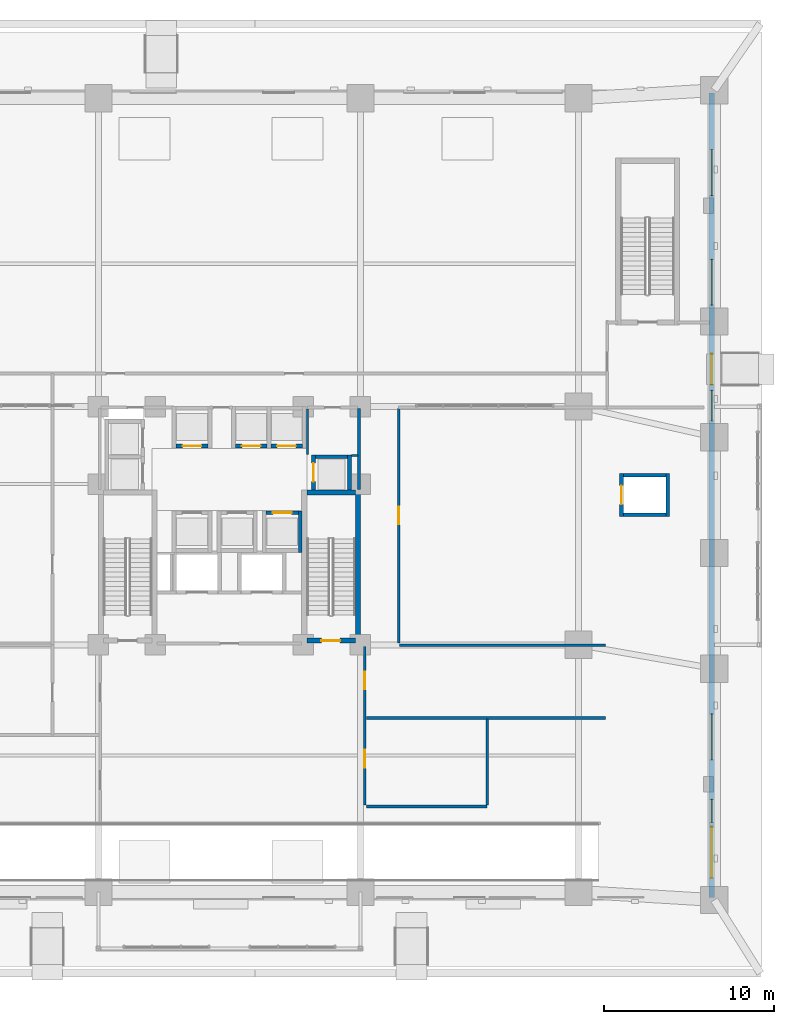
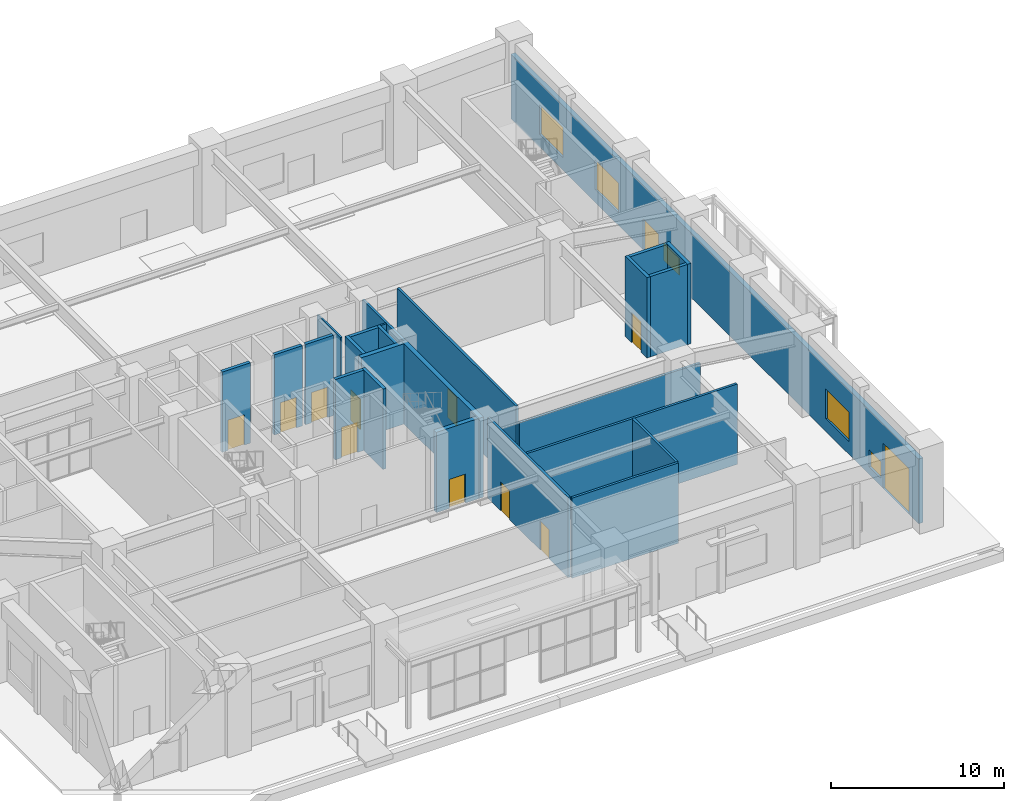
# One storey, part 15 of 24: 25 walls, 12 doors, 5 windows, 17 openings.
"""IFC4 building model written with IfcOpenShell, lengths in metres."""

from ifc_helpers import new_model, si_unit, derived_unit, direction, frame, frame_2d, origin, place, context, subcontext, project, spatial, rectangle, extrude, material, layer, layer_set, type_object, element, fill, save


model = new_model("IFC4")

# Units and contexts
model_context = context("Model", 3, precision=1e-05, world=origin(), true_north=direction((0.0, 1.0)))
body_context = subcontext(model_context, "Body", "Model", "MODEL_VIEW")
ifc_project = project(units=[si_unit("LENGTHUNIT", "METRE"), si_unit("AREAUNIT", "SQUARE_METRE"), si_unit("VOLUMEUNIT", "CUBIC_METRE"), si_unit("PLANEANGLEUNIT", "RADIAN"), si_unit("MASSUNIT", "GRAM", prefix="KILO"), derived_unit("THERMALTRANSMITTANCEUNIT", [(si_unit("MASSUNIT", "GRAM", prefix="KILO"), 1), (si_unit("TIMEUNIT", "SECOND"), -3), (si_unit("THERMODYNAMICTEMPERATUREUNIT", "KELVIN"), -1)])], contexts=[model_context])

# Site, building, storey
site_placement = place(None, origin())
site = spatial("IfcSite", under=ifc_project, at=site_placement, CompositionType="ELEMENT")
building_placement = place(site_placement, origin())
building = spatial("IfcBuilding", under=site, at=building_placement, Name="Korrvale Station Residences", CompositionType="ELEMENT")
storey_placement = place(building_placement, origin())
storey = spatial("IfcBuildingStorey", under=building, at=storey_placement, Name="L00", CompositionType="ELEMENT", Elevation=0.0)

# Walls
ifc_material_1 = material(Name="Concrete C70/85", Category="concrete")
ifc_layer_1 = layer(ifc_material_1, 0.300048828125, Name="Concrete C70/85")
ifc_layer_set_1 = layer_set([ifc_layer_1], Name="Concrete C70/85")
wall_type_1 = type_object("IfcWallType", Name="WAL-CORE-300-C70", PredefinedType="SHEAR", material=ifc_layer_set_1)
wall_1_placement = place(storey_placement, frame((33.050048828125, 15.10009765625, 0.0), z_axis=(0.0, 0.0, 1.0), x_axis=(0.0, 1.0, 0.0)))
element("IfcWall", 1, at=wall_1_placement, inside=storey, type_object=wall_type_1, Name="L00 ST-2 Core Shear Wall East", PredefinedType="SHEAR", context=body_context, shape_type="SweptSolid", body=[
    extrude(rectangle(XDim=9.0, YDim=0.300048828125, at=frame_2d((4.5, 0.0))), origin(), (0.0, 0.0, 1.0), 5.679931640625),
])
wall_2_placement = place(storey_placement, frame((30.050048828125, 23.949951171875, 0.0), z_axis=(0.0, 0.0, 1.0), x_axis=(1.0, 0.0, 0.0)))
element("IfcWall", 2, at=wall_2_placement, inside=storey, type_object=wall_type_1, Name="L00 ST-2 Core Shear Wall North", PredefinedType="SHEAR", context=body_context, shape_type="SweptSolid", body=[
    extrude(rectangle(XDim=2.849853515625, YDim=0.300048828125, at=frame_2d((1.4248046875, 0.0))), origin(), (0.0, 0.0, 1.0), 5.679931640625),
])

# Wall, opening, door
wall_3_placement = place(storey_placement, frame((30.050048828125, 15.25, 0.0), z_axis=(0.0, 0.0, 1.0), x_axis=(1.0, 0.0, 0.0)))
wall_3 = element("IfcWall", 3, at=wall_3_placement, inside=storey, type_object=wall_type_1, Name="L00 ST-2 Core Shear Wall South", PredefinedType="SHEAR", context=body_context, shape_type="SweptSolid", body=[
    extrude(rectangle(XDim=2.849853515625, YDim=0.300048828125, at=frame_2d((1.4248046875, 0.0))), origin(), (0.0, 0.0, 1.0), 5.679931640625),
])
opening_1_placement = place(wall_3_placement, frame((0.860107421875, 0.0, 0.0)))
opening_1 = element("IfcOpeningElement", 4, at=opening_1_placement, cuts=wall_3, Name="Opening SD-1100", PredefinedType="OPENING", context=body_context, shape_type="SweptSolid", body=[
    extrude(rectangle(XDim=1.10009765625, YDim=2.050048828125, at=frame_2d((0.550048828125, 1.02490234375))), frame((0.0, 0.16015625, 0.0), z_axis=(0.0, -1.0, 0.0), x_axis=(1.0, 0.0, 0.0)), (0.0, 0.0, 1.0), 0.320068359375),
])
ifc_material_2 = material(Name="Hollow-metal fire-rated stair door with closer", Category="steel")
door_type_1 = type_object("IfcDoorType", Name="DR-STAIR-1100", OperationType="NOTDEFINED", PredefinedType="DOOR", material=ifc_material_2)
door_1_placement = place(opening_1_placement, origin())
door_1 = element("IfcDoor", 5, at=door_1_placement, inside=storey, type_object=door_type_1, Name="L00 ST-2 Exit Stair Door", OperationType="SINGLE_SWING_RIGHT", OverallHeight=2.050048828125, OverallWidth=1.10009765625, PredefinedType="DOOR", context=body_context, shape_type="SweptSolid", body=[
    extrude(rectangle(XDim=1.10009765625, YDim=2.050048828125, at=frame_2d((0.550048828125, 1.02490234375))), frame((0.0, 0.02490234375, 0.0), z_axis=(0.0, -1.0, 0.0), x_axis=(1.0, 0.0, 0.0)), (0.0, 0.0, 1.0), 0.050048828125),
])
fill(opening_1, door_1)

# Wall, openings, doors, windows
ifc_material_3 = material(Name="Precast concrete C45/55", Category="concrete")
ifc_layer_2 = layer(ifc_material_3, 0.300048828125, Name="Precast concrete C45/55")
ifc_layer_set_2 = layer_set([ifc_layer_2], Name="Precast concrete C45/55")
wall_type_2 = type_object("IfcWallType", Name="WAL-EXT-PC300", PredefinedType="SOLIDWALL", material=ifc_layer_set_2)
wall_4_placement = place(storey_placement, frame((53.85009765625, 47.43994140625, 0.0), z_axis=(0.0, 0.0, 1.0), x_axis=(0.0, -1.0, 0.0)))
wall_4 = element("IfcWall", 6, at=wall_4_placement, inside=storey, type_object=wall_type_2, Name="L00 East Exterior Precast Wall 1", PredefinedType="SOLIDWALL", context=body_context, shape_type="SweptSolid", body=[
    extrude(rectangle(XDim=47.280029296875, YDim=0.300048828125, at=frame_2d((23.64013671875, 0.0))), origin(), (0.0, 0.0, 1.0), 4.56494140625),
])
opening_2_placement = place(wall_4_placement, frame((15.340087890625, 0.0, 0.0)))
opening_2 = element("IfcOpeningElement", 7, at=opening_2_placement, cuts=wall_4, Name="Opening ED-01", PredefinedType="OPENING", context=body_context, shape_type="SweptSolid", body=[
    extrude(rectangle(XDim=1.800048828125, YDim=2.199951171875, at=frame_2d((0.89990234375, 1.10009765625))), frame((0.0, 0.16015625, 0.0), z_axis=(0.0, -1.0, 0.0), x_axis=(1.0, 0.0, 0.0)), (0.0, 0.0, 1.0), 0.320068359375),
])
opening_3_placement = place(wall_4_placement, frame((43.139892578125, 0.0, 0.0)))
opening_3 = element("IfcOpeningElement", 8, at=opening_3_placement, cuts=wall_4, Name="Opening VG-1", PredefinedType="OPENING", context=body_context, shape_type="SweptSolid", body=[
    extrude(rectangle(XDim=3.0, YDim=3.199951171875, at=frame_2d((1.5, 1.60009765625))), frame((0.0, 0.16015625, 0.0), z_axis=(0.0, -1.0, 0.0), x_axis=(1.0, 0.0, 0.0)), (0.0, 0.0, 1.0), 0.320068359375),
])
opening_4_placement = place(wall_4_placement, frame((3.330078125, 0.0, 0.89990234375)))
opening_4 = element("IfcOpeningElement", 9, at=opening_4_placement, cuts=wall_4, Name="Opening W-07", PredefinedType="OPENING", context=body_context, shape_type="SweptSolid", body=[
    extrude(rectangle(XDim=2.699951171875, YDim=2.10009765625, at=frame_2d((1.35009765625, 1.050048828125))), frame((0.0, 0.16015625, 0.0), z_axis=(0.0, -1.0, 0.0), x_axis=(1.0, 0.0, 0.0)), (0.0, 0.0, 1.0), 0.320068359375),
])
opening_5_placement = place(wall_4_placement, frame((9.780029296875, 0.0, 0.89990234375)))
opening_5 = element("IfcOpeningElement", 10, at=opening_5_placement, cuts=wall_4, Name="Opening W-07", PredefinedType="OPENING", context=body_context, shape_type="SweptSolid", body=[
    extrude(rectangle(XDim=2.699951171875, YDim=2.10009765625, at=frame_2d((1.35009765625, 1.050048828125))), frame((0.0, 0.16015625, 0.0), z_axis=(0.0, -1.0, 0.0), x_axis=(1.0, 0.0, 0.0)), (0.0, 0.0, 1.0), 0.320068359375),
])
opening_6_placement = place(wall_4_placement, frame((17.47998046875, 0.0, 0.550048828125)))
opening_6 = element("IfcOpeningElement", 11, at=opening_6_placement, cuts=wall_4, Name="Opening W-09", PredefinedType="OPENING", context=body_context, shape_type="SweptSolid", body=[
    extrude(rectangle(XDim=1.800048828125, YDim=1.199951171875, at=frame_2d((0.89990234375, 0.60009765625))), frame((0.0, 0.16015625, 0.0), z_axis=(0.0, -1.0, 0.0), x_axis=(1.0, 0.0, 0.0)), (0.0, 0.0, 1.0), 0.320068359375),
])
opening_7_placement = place(wall_4_placement, frame((36.5, 0.0, 0.89990234375)))
opening_7 = element("IfcOpeningElement", 12, at=opening_7_placement, cuts=wall_4, Name="Opening W-07", PredefinedType="OPENING", context=body_context, shape_type="SweptSolid", body=[
    extrude(rectangle(XDim=2.699951171875, YDim=2.10009765625, at=frame_2d((1.35009765625, 1.050048828125))), frame((0.0, 0.16015625, 0.0), z_axis=(0.0, -1.0, 0.0), x_axis=(1.0, 0.0, 0.0)), (0.0, 0.0, 1.0), 0.320068359375),
])
opening_8_placement = place(wall_4_placement, frame((41.530029296875, 0.0, 0.550048828125)))
opening_8 = element("IfcOpeningElement", 13, at=opening_8_placement, cuts=wall_4, Name="Opening W-10", PredefinedType="OPENING", context=body_context, shape_type="SweptSolid", body=[
    extrude(rectangle(XDim=1.35009765625, YDim=1.199951171875, at=frame_2d((0.675048828125, 0.60009765625))), frame((0.0, 0.16015625, 0.0), z_axis=(0.0, -1.0, 0.0), x_axis=(1.0, 0.0, 0.0)), (0.0, 0.0, 1.0), 0.320068359375),
])
ifc_material_4 = material(Name="Thermally broken glazed aluminium entrance door", Category="aluminium")
door_type_2 = type_object("IfcDoorType", Name="DR-EXT-EXIT", OperationType="DOUBLE_SWING_LEFT", PredefinedType="DOOR", material=ifc_material_4)
door_2_placement = place(opening_2_placement, origin())
door_2 = element("IfcDoor", 14, at=door_2_placement, inside=storey, type_object=door_type_2, Name="East Stair Discharge Exit Door", OperationType="DOUBLE_SWING_LEFT", OverallHeight=2.199951171875, OverallWidth=1.800048828125, PredefinedType="DOOR", context=body_context, shape_type="SweptSolid", body=[
    extrude(rectangle(XDim=1.800048828125, YDim=2.199951171875, at=frame_2d((0.89990234375, 1.10009765625))), frame((0.0, 0.02490234375, 0.0), z_axis=(0.0, -1.0, 0.0), x_axis=(1.0, 0.0, 0.0)), (0.0, 0.0, 1.0), 0.050048828125),
])
fill(opening_2, door_2)
ifc_material_5 = material(Name="Exterior non-fire-rated insulated galvanised coiling steel roller shutter gate", Category="steel")
door_type_3 = type_object("IfcDoorType", Name="DR-ROLL-VG1", OperationType="ROLLINGUP", PredefinedType="GATE", material=ifc_material_5)
door_3_placement = place(opening_3_placement, origin())
door_3 = element("IfcDoor", 15, at=door_3_placement, inside=storey, type_object=door_type_3, Name="Exterior Non-Fire-Rated Basement Service Ramp Roller Shutter Gate", OperationType="ROLLINGUP", OverallHeight=3.199951171875, OverallWidth=3.0, PredefinedType="GATE", context=body_context, shape_type="SweptSolid", body=[
    extrude(rectangle(XDim=3.0, YDim=3.199951171875, at=frame_2d((1.5, 1.60009765625))), frame((0.0, 0.02490234375, 0.0), z_axis=(0.0, -1.0, 0.0), x_axis=(1.0, 0.0, 0.0)), (0.0, 0.0, 1.0), 0.050048828125),
])
fill(opening_3, door_3)
ifc_material_6 = material(Name="Thermally broken aluminium frame with triple low-e glazing", Category="aluminium")
window_type_1 = type_object("IfcWindowType", Name="WIN-W07", PartitioningType="TRIPLE_PANEL_VERTICAL", PredefinedType="WINDOW", material=ifc_material_6)
window_1_placement = place(opening_4_placement, origin())
window_1 = element("IfcWindow", 16, at=window_1_placement, inside=storey, type_object=window_type_1, Name="L00 Station Concourse Punched Window 06", OverallHeight=2.10009765625, OverallWidth=2.699951171875, PartitioningType="TRIPLE_PANEL_VERTICAL", PredefinedType="WINDOW", context=body_context, shape_type="SweptSolid", body=[
    extrude(rectangle(XDim=2.699951171875, YDim=2.10009765625, at=frame_2d((1.35009765625, 1.050048828125))), frame((0.0, 0.030029296875, 0.0), z_axis=(0.0, -1.0, 0.0), x_axis=(1.0, 0.0, 0.0)), (0.0, 0.0, 1.0), 0.06005859375),
])
fill(opening_4, window_1)
window_2_placement = place(opening_5_placement, origin())
window_2 = element("IfcWindow", 17, at=window_2_placement, inside=storey, type_object=window_type_1, Name="L00 Station Concourse Punched Window 07", OverallHeight=2.10009765625, OverallWidth=2.699951171875, PartitioningType="TRIPLE_PANEL_VERTICAL", PredefinedType="WINDOW", context=body_context, shape_type="SweptSolid", body=[
    extrude(rectangle(XDim=2.699951171875, YDim=2.10009765625, at=frame_2d((1.35009765625, 1.050048828125))), frame((0.0, 0.030029296875, 0.0), z_axis=(0.0, -1.0, 0.0), x_axis=(1.0, 0.0, 0.0)), (0.0, 0.0, 1.0), 0.06005859375),
])
fill(opening_5, window_2)
window_3_placement = place(opening_7_placement, origin())
window_3 = element("IfcWindow", 18, at=window_3_placement, inside=storey, type_object=window_type_1, Name="L00 Station Concourse Punched Window 09", OverallHeight=2.10009765625, OverallWidth=2.699951171875, PartitioningType="TRIPLE_PANEL_VERTICAL", PredefinedType="WINDOW", context=body_context, shape_type="SweptSolid", body=[
    extrude(rectangle(XDim=2.699951171875, YDim=2.10009765625, at=frame_2d((1.35009765625, 1.050048828125))), frame((0.0, 0.030029296875, 0.0), z_axis=(0.0, -1.0, 0.0), x_axis=(1.0, 0.0, 0.0)), (0.0, 0.0, 1.0), 0.06005859375),
])
fill(opening_7, window_3)
window_type_2 = type_object("IfcWindowType", Name="WIN-W09", PartitioningType="DOUBLE_PANEL_VERTICAL", PredefinedType="WINDOW", material=ifc_material_6)
window_4_placement = place(opening_6_placement, origin())
window_4 = element("IfcWindow", 19, at=window_4_placement, inside=storey, type_object=window_type_2, Name="L00 Station Concourse Punched Window 08", OverallHeight=1.199951171875, OverallWidth=1.800048828125, PartitioningType="DOUBLE_PANEL_VERTICAL", PredefinedType="WINDOW", context=body_context, shape_type="SweptSolid", body=[
    extrude(rectangle(XDim=1.800048828125, YDim=1.199951171875, at=frame_2d((0.89990234375, 0.60009765625))), frame((0.0, 0.030029296875, 0.0), z_axis=(0.0, -1.0, 0.0), x_axis=(1.0, 0.0, 0.0)), (0.0, 0.0, 1.0), 0.06005859375),
])
fill(opening_6, window_4)
window_type_3 = type_object("IfcWindowType", Name="WIN-W10", PartitioningType="SINGLE_PANEL", PredefinedType="WINDOW", material=ifc_material_6)
window_5_placement = place(opening_8_placement, origin())
window_5 = element("IfcWindow", 20, at=window_5_placement, inside=storey, type_object=window_type_3, Name="L00 Station Concourse Punched Window 10", OverallHeight=1.199951171875, OverallWidth=1.35009765625, PartitioningType="SINGLE_PANEL", PredefinedType="WINDOW", context=body_context, shape_type="SweptSolid", body=[
    extrude(rectangle(XDim=1.35009765625, YDim=1.199951171875, at=frame_2d((0.675048828125, 0.60009765625))), frame((0.0, 0.030029296875, 0.0), z_axis=(0.0, -1.0, 0.0), x_axis=(1.0, 0.0, 0.0)), (0.0, 0.0, 1.0), 0.06005859375),
])
fill(opening_8, window_5)

# Walls
ifc_material_7 = material(Name="Acoustic steel-stud gypsum board partition", Category="steel")
ifc_layer_3 = layer(ifc_material_7, 0.1201171875, Name="Acoustic steel-stud gypsum board partition")
ifc_layer_set_3 = layer_set([ifc_layer_3], Name="Acoustic steel-stud gypsum board partition")
wall_type_3 = type_object("IfcWallType", Name="WAL-PART-125", PredefinedType="PARTITIONING", material=ifc_layer_set_3)
wall_5_placement = place(storey_placement, frame((30.080078125, 26.179931640625, 0.0), z_axis=(0.0, 0.0, 1.0), x_axis=(0.0, 1.0, 0.0)))
element("IfcWall", 21, at=wall_5_placement, inside=storey, type_object=wall_type_3, Name="L00 Core Partition CW-CS-W", PredefinedType="PARTITIONING", context=body_context, shape_type="SweptSolid", body=[
    extrude(rectangle(XDim=2.68017578125, YDim=0.1201171875, at=frame_2d((1.340087890625, 0.0))), origin(), (0.0, 0.0, 1.0), 5.679931640625),
])
wall_6_placement = place(storey_placement, frame((32.679931640625, 26.1201171875, 0.0), z_axis=(0.0, 0.0, 1.0), x_axis=(1.0, 0.0, 0.0)))
element("IfcWall", 22, at=wall_6_placement, inside=storey, type_object=wall_type_3, Name="L00 Core Partition CW-CS-S", PredefinedType="PARTITIONING", context=body_context, shape_type="SweptSolid", body=[
    extrude(rectangle(XDim=0.380126953125, YDim=0.1201171875, at=frame_2d((0.18994140625, 0.0))), origin(), (0.0, 0.0, 1.0), 5.679931640625),
])
ifc_material_8 = material(Name="Fire-rated twin-stud gypsum and mineral wool shaftwall assembly", Category="gypsum")
ifc_layer_4 = layer(ifc_material_8, 0.159912109375, Name="Fire-rated twin-stud gypsum and mineral wool shaftwall assembly")
ifc_layer_set_4 = layer_set([ifc_layer_4], Name="Fire-rated twin-stud gypsum and mineral wool shaftwall assembly")
wall_type_4 = type_object("IfcWallType", Name="WAL-PART-200", PredefinedType="PARTITIONING", material=ifc_layer_set_4)
wall_7_placement = place(storey_placement, frame((33.1201171875, 24.1201171875, 0.0), z_axis=(0.0, 0.0, 1.0), x_axis=(0.0, 1.0, 0.0)))
element("IfcWall", 23, at=wall_7_placement, inside=storey, type_object=wall_type_4, Name="L00 Core Partition CW-E-N", PredefinedType="PARTITIONING", context=body_context, shape_type="SweptSolid", body=[
    extrude(rectangle(XDim=4.759765625, YDim=0.159912109375, at=frame_2d((2.3798828125, 0.0))), origin(), (0.0, 0.0, 1.0), 5.679931640625),
])

# Wall, openings, doors
wall_8_placement = place(storey_placement, frame((33.449951171875, 5.60009765625, 0.0), z_axis=(0.0, 0.0, 1.0), x_axis=(0.0, 1.0, 0.0)))
wall_8 = element("IfcWall", 24, at=wall_8_placement, inside=storey, type_object=wall_type_4, Name="L00 Interior Partition W-RLB-E", PredefinedType="PARTITIONING", context=body_context, shape_type="SweptSolid", body=[
    extrude(rectangle(XDim=9.2998046875, YDim=0.159912109375, at=frame_2d((4.64990234375, 0.0))), origin(), (0.0, 0.0, 1.0), 5.679931640625),
])
opening_9_placement = place(wall_8_placement, frame((2.175048828125, 0.0, 0.0)))
opening_9 = element("IfcOpeningElement", 25, at=opening_9_placement, cuts=wall_8, Name="Opening FD-1050", PredefinedType="OPENING", context=body_context, shape_type="SweptSolid", body=[
    extrude(rectangle(XDim=1.050048828125, YDim=2.050048828125, at=frame_2d((0.52490234375, 1.02490234375))), frame((0.0, 0.08984375, 0.0), z_axis=(0.0, -1.0, 0.0), x_axis=(1.0, 0.0, 0.0)), (0.0, 0.0, 1.0), 0.179931640625),
])
opening_10_placement = place(wall_8_placement, frame((6.77490234375, 0.0, 0.0)))
opening_10 = element("IfcOpeningElement", 26, at=opening_10_placement, cuts=wall_8, Name="Opening FD-1050", PredefinedType="OPENING", context=body_context, shape_type="SweptSolid", body=[
    extrude(rectangle(XDim=1.050048828125, YDim=2.050048828125, at=frame_2d((0.52490234375, 1.02490234375))), frame((0.0, 0.08984375, 0.0), z_axis=(0.0, -1.0, 0.0), x_axis=(1.0, 0.0, 0.0)), (0.0, 0.0, 1.0), 0.179931640625),
])
ifc_material_9 = material(Name="Fire-rated mineral-core timber lobby door", Category="wood")
door_type_4 = type_object("IfcDoorType", Name="DR-CORE-1050", OperationType="NOTDEFINED", PredefinedType="DOOR", material=ifc_material_9)
door_4_placement = place(opening_9_placement, origin())
door_4 = element("IfcDoor", 27, at=door_4_placement, inside=storey, type_object=door_type_4, Name="L00 Fire Command Centre Door", OperationType="SINGLE_SWING_RIGHT", OverallHeight=2.050048828125, OverallWidth=1.050048828125, PredefinedType="DOOR", context=body_context, shape_type="SweptSolid", body=[
    extrude(rectangle(XDim=1.050048828125, YDim=2.050048828125, at=frame_2d((0.52490234375, 1.02490234375))), frame((0.0, 0.02490234375, 0.0), z_axis=(0.0, -1.0, 0.0), x_axis=(1.0, 0.0, 0.0)), (0.0, 0.0, 1.0), 0.050048828125),
])
fill(opening_9, door_4)
door_5_placement = place(opening_10_placement, origin())
door_5 = element("IfcDoor", 28, at=door_5_placement, inside=storey, type_object=door_type_4, Name="L00 Concierge Mailroom Door", OperationType="SINGLE_SWING_LEFT", OverallHeight=2.050048828125, OverallWidth=1.050048828125, PredefinedType="DOOR", context=body_context, shape_type="SweptSolid", body=[
    extrude(rectangle(XDim=1.050048828125, YDim=2.050048828125, at=frame_2d((0.52490234375, 1.02490234375))), frame((0.0, 0.02490234375, 0.0), z_axis=(0.0, -1.0, 0.0), x_axis=(1.0, 0.0, 0.0)), (0.0, 0.0, 1.0), 0.050048828125),
])
fill(opening_10, door_5)

# Walls
wall_9_placement = place(storey_placement, frame((33.550048828125, 5.5, 0.0), z_axis=(0.0, 0.0, 1.0), x_axis=(1.0, 0.0, 0.0)))
element("IfcWall", 29, at=wall_9_placement, inside=storey, type_object=wall_type_4, Name="L00 Interior Partition W-FCC-S", PredefinedType="PARTITIONING", context=body_context, shape_type="SweptSolid", body=[
    extrude(rectangle(XDim=7.099853515625, YDim=0.159912109375, at=frame_2d((3.5498046875, 0.0))), origin(), (0.0, 0.0, 1.0), 5.679931640625),
])
wall_10_placement = place(storey_placement, frame((40.64990234375, 5.580078125, 0.0), z_axis=(0.0, 0.0, 1.0), x_axis=(0.0, 1.0, 0.0)))
element("IfcWall", 30, at=wall_10_placement, inside=storey, type_object=wall_type_4, Name="L00 Interior Partition W-FCC-E", PredefinedType="PARTITIONING", context=body_context, shape_type="SweptSolid", body=[
    extrude(rectangle(XDim=5.06982421875, YDim=0.159912109375, at=frame_2d((2.534912109375, 0.0))), origin(), (0.0, 0.0, 1.0), 5.679931640625),
])
wall_11_placement = place(storey_placement, frame((33.550048828125, 10.699951171875, 0.0), z_axis=(0.0, 0.0, 1.0), x_axis=(1.0, 0.0, 0.0)))
element("IfcWall", 31, at=wall_11_placement, inside=storey, type_object=wall_type_4, Name="L00 Interior Partition W-FCC-M", PredefinedType="PARTITIONING", context=body_context, shape_type="SweptSolid", body=[
    extrude(rectangle(XDim=14.050048828125, YDim=0.159912109375, at=frame_2d((7.02490234375, 0.0))), origin(), (0.0, 0.0, 1.0), 5.679931640625),
])
wall_12_placement = place(storey_placement, frame((35.5, 14.97998046875, 0.0), z_axis=(0.0, 0.0, 1.0), x_axis=(1.0, 0.0, 0.0)))
element("IfcWall", 32, at=wall_12_placement, inside=storey, type_object=wall_type_4, Name="L00 Interior Partition W-MLR-N", PredefinedType="PARTITIONING", context=body_context, shape_type="SweptSolid", body=[
    extrude(rectangle(XDim=12.10009765625, YDim=0.159912109375, at=frame_2d((6.050048828125, 0.0))), origin(), (0.0, 0.0, 1.0), 4.56494140625),
])

# Wall, opening, door
wall_13_placement = place(storey_placement, frame((35.449951171875, 15.10009765625, 0.0), z_axis=(0.0, 0.0, 1.0), x_axis=(0.0, 1.0, 0.0)))
wall_13 = element("IfcWall", 33, at=wall_13_placement, inside=storey, type_object=wall_type_4, Name="L00 Interior Partition W-CE", PredefinedType="PARTITIONING", context=body_context, shape_type="SweptSolid", body=[
    extrude(rectangle(XDim=13.77978515625, YDim=0.159912109375, at=frame_2d((6.889892578125, 0.0))), origin(), (0.0, 0.0, 1.0), 5.679931640625),
])
opening_11_placement = place(wall_13_placement, frame((6.97509765625, 0.0, 0.0)))
opening_11 = element("IfcOpeningElement", 34, at=opening_11_placement, cuts=wall_13, Name="Opening FD-1050", PredefinedType="OPENING", context=body_context, shape_type="SweptSolid", body=[
    extrude(rectangle(XDim=1.050048828125, YDim=2.050048828125, at=frame_2d((0.52490234375, 1.02490234375))), frame((0.0, 0.08984375, 0.0), z_axis=(0.0, -1.0, 0.0), x_axis=(1.0, 0.0, 0.0)), (0.0, 0.0, 1.0), 0.179931640625),
])
door_6_placement = place(opening_11_placement, origin())
door_6 = element("IfcDoor", 35, at=door_6_placement, inside=storey, type_object=door_type_4, Name="L00 East Retail Arcade Door", OperationType="SINGLE_SWING_LEFT", OverallHeight=2.050048828125, OverallWidth=1.050048828125, PredefinedType="DOOR", context=body_context, shape_type="SweptSolid", body=[
    extrude(rectangle(XDim=1.050048828125, YDim=2.050048828125, at=frame_2d((0.52490234375, 1.02490234375))), frame((0.0, 0.02490234375, 0.0), z_axis=(0.0, -1.0, 0.0), x_axis=(1.0, 0.0, 0.0)), (0.0, 0.0, 1.0), 0.050048828125),
])
fill(opening_11, door_6)

ifc_layer_5 = layer(ifc_material_1, 0.219970703125, Name="Concrete C70/85")
ifc_layer_set_5 = layer_set([ifc_layer_5], Name="Concrete C70/85")
wall_type_5 = type_object("IfcWallType", Name="WAL-SHAFT-220-C70", PredefinedType="SHEAR", material=ifc_layer_set_5)
wall_14_placement = place(storey_placement, frame((22.35009765625, 26.68994140625, 0.0), z_axis=(0.0, 0.0, 1.0), x_axis=(1.0, 0.0, 0.0)))
wall_14 = element("IfcWall", 36, at=wall_14_placement, inside=storey, type_object=wall_type_5, Name="L00 Elevator PL-1 Hoistway Wall South", PredefinedType="SHEAR", context=body_context, shape_type="SweptSolid", body=[
    extrude(rectangle(XDim=1.89990234375, YDim=0.219970703125, at=frame_2d((0.949951171875, 0.0))), origin(), (0.0, 0.0, 1.0), 5.679931640625),
])
opening_12_placement = place(wall_14_placement, frame((0.39990234375, 0.0, 0.0)))
opening_12 = element("IfcOpeningElement", 37, at=opening_12_placement, cuts=wall_14, Name="Opening LD-1100", PredefinedType="OPENING", context=body_context, shape_type="SweptSolid", body=[
    extrude(rectangle(XDim=1.10009765625, YDim=2.14990234375, at=frame_2d((0.550048828125, 1.074951171875))), frame((0.0, 0.1201171875, 0.0), z_axis=(0.0, -1.0, 0.0), x_axis=(1.0, 0.0, 0.0)), (0.0, 0.0, 1.0), 0.239990234375),
])
ifc_material_10 = material(Name="Brushed stainless-steel elevator landing sliding door", Category="steel")
door_type_5 = type_object("IfcDoorType", Name="DR-LIFT-1100", OperationType="SLIDING_TO_LEFT", PredefinedType="DOOR", material=ifc_material_10)
door_7_placement = place(opening_12_placement, origin())
door_7 = element("IfcDoor", 38, at=door_7_placement, inside=storey, type_object=door_type_5, Name="L00 Elevator PL-1 Sliding Landing Door", OperationType="SLIDING_TO_LEFT", OverallHeight=2.14990234375, OverallWidth=1.10009765625, PredefinedType="DOOR", context=body_context, shape_type="SweptSolid", body=[
    extrude(rectangle(XDim=1.10009765625, YDim=2.14990234375, at=frame_2d((0.550048828125, 1.074951171875))), frame((0.0, 0.02490234375, 0.0), z_axis=(0.0, -1.0, 0.0), x_axis=(1.0, 0.0, 0.0)), (0.0, 0.0, 1.0), 0.050048828125),
])
fill(opening_12, door_7)

wall_15_placement = place(storey_placement, frame((25.85009765625, 26.68994140625, 0.0), z_axis=(0.0, 0.0, 1.0), x_axis=(1.0, 0.0, 0.0)))
wall_15 = element("IfcWall", 39, at=wall_15_placement, inside=storey, type_object=wall_type_5, Name="L00 Elevator PL-2 Hoistway Wall South", PredefinedType="SHEAR", context=body_context, shape_type="SweptSolid", body=[
    extrude(rectangle(XDim=1.85986328125, YDim=0.219970703125, at=frame_2d((0.929931640625, 0.0))), origin(), (0.0, 0.0, 1.0), 5.679931640625),
])
opening_13_placement = place(wall_15_placement, frame((0.3798828125, 0.0, 0.0)))
opening_13 = element("IfcOpeningElement", 40, at=opening_13_placement, cuts=wall_15, Name="Opening LD-1100", PredefinedType="OPENING", context=body_context, shape_type="SweptSolid", body=[
    extrude(rectangle(XDim=1.10009765625, YDim=2.14990234375, at=frame_2d((0.550048828125, 1.074951171875))), frame((0.0, 0.1201171875, 0.0), z_axis=(0.0, -1.0, 0.0), x_axis=(1.0, 0.0, 0.0)), (0.0, 0.0, 1.0), 0.239990234375),
])
door_8_placement = place(opening_13_placement, origin())
door_8 = element("IfcDoor", 41, at=door_8_placement, inside=storey, type_object=door_type_5, Name="L00 Elevator PL-2 Sliding Landing Door", OperationType="SLIDING_TO_LEFT", OverallHeight=2.14990234375, OverallWidth=1.10009765625, PredefinedType="DOOR", context=body_context, shape_type="SweptSolid", body=[
    extrude(rectangle(XDim=1.10009765625, YDim=2.14990234375, at=frame_2d((0.550048828125, 1.074951171875))), frame((0.0, 0.02490234375, 0.0), z_axis=(0.0, -1.0, 0.0), x_axis=(1.0, 0.0, 0.0)), (0.0, 0.0, 1.0), 0.050048828125),
])
fill(opening_13, door_8)

wall_16_placement = place(storey_placement, frame((27.929931640625, 26.68994140625, 0.0), z_axis=(0.0, 0.0, 1.0), x_axis=(1.0, 0.0, 0.0)))
wall_16 = element("IfcWall", 42, at=wall_16_placement, inside=storey, type_object=wall_type_5, Name="L00 Elevator PL-3 Hoistway Wall South", PredefinedType="SHEAR", context=body_context, shape_type="SweptSolid", body=[
    extrude(rectangle(XDim=1.860107421875, YDim=0.219970703125, at=frame_2d((0.93017578125, 0.0))), origin(), (0.0, 0.0, 1.0), 5.679931640625),
])
opening_14_placement = place(wall_16_placement, frame((0.3798828125, 0.0, 0.0)))
opening_14 = element("IfcOpeningElement", 43, at=opening_14_placement, cuts=wall_16, Name="Opening LD-1100", PredefinedType="OPENING", context=body_context, shape_type="SweptSolid", body=[
    extrude(rectangle(XDim=1.10009765625, YDim=2.14990234375, at=frame_2d((0.550048828125, 1.074951171875))), frame((0.0, 0.1201171875, 0.0), z_axis=(0.0, -1.0, 0.0), x_axis=(1.0, 0.0, 0.0)), (0.0, 0.0, 1.0), 0.239990234375),
])
door_9_placement = place(opening_14_placement, origin())
door_9 = element("IfcDoor", 44, at=door_9_placement, inside=storey, type_object=door_type_5, Name="L00 Elevator PL-3 Sliding Landing Door", OperationType="SLIDING_TO_LEFT", OverallHeight=2.14990234375, OverallWidth=1.10009765625, PredefinedType="DOOR", context=body_context, shape_type="SweptSolid", body=[
    extrude(rectangle(XDim=1.10009765625, YDim=2.14990234375, at=frame_2d((0.550048828125, 1.074951171875))), frame((0.0, 0.02490234375, 0.0), z_axis=(0.0, -1.0, 0.0), x_axis=(1.0, 0.0, 0.0)), (0.0, 0.0, 1.0), 0.050048828125),
])
fill(opening_14, door_9)

wall_17_placement = place(storey_placement, frame((27.64990234375, 22.760009765625, 0.0), z_axis=(0.0, 0.0, 1.0), x_axis=(1.0, 0.0, 0.0)))
wall_17 = element("IfcWall", 45, at=wall_17_placement, inside=storey, type_object=wall_type_5, Name="L00 Elevator PM-3 Hoistway Wall North", PredefinedType="SHEAR", context=body_context, shape_type="SweptSolid", body=[
    extrude(rectangle(XDim=1.900146484375, YDim=0.219970703125, at=frame_2d((0.9501953125, 0.0))), origin(), (0.0, 0.0, 1.0), 5.679931640625),
])
opening_15_placement = place(wall_17_placement, frame((0.39990234375, 0.0, 0.0)))
opening_15 = element("IfcOpeningElement", 46, at=opening_15_placement, cuts=wall_17, Name="Opening LD-1100", PredefinedType="OPENING", context=body_context, shape_type="SweptSolid", body=[
    extrude(rectangle(XDim=1.10009765625, YDim=2.14990234375, at=frame_2d((0.550048828125, 1.074951171875))), frame((0.0, 0.1201171875, 0.0), z_axis=(0.0, -1.0, 0.0), x_axis=(1.0, 0.0, 0.0)), (0.0, 0.0, 1.0), 0.239990234375),
])
door_10_placement = place(opening_15_placement, origin())
door_10 = element("IfcDoor", 47, at=door_10_placement, inside=storey, type_object=door_type_5, Name="L00 Elevator PM-3 Sliding Landing Door", OperationType="SLIDING_TO_LEFT", OverallHeight=2.14990234375, OverallWidth=1.10009765625, PredefinedType="DOOR", context=body_context, shape_type="SweptSolid", body=[
    extrude(rectangle(XDim=1.10009765625, YDim=2.14990234375, at=frame_2d((0.550048828125, 1.074951171875))), frame((0.0, 0.02490234375, 0.0), z_axis=(0.0, -1.0, 0.0), x_axis=(1.0, 0.0, 0.0)), (0.0, 0.0, 1.0), 0.050048828125),
])
fill(opening_15, door_10)

# Walls
wall_18_placement = place(storey_placement, frame((29.659912109375, 20.429931640625, 0.0), z_axis=(0.0, 0.0, 1.0), x_axis=(0.0, 1.0, 0.0)))
element("IfcWall", 48, at=wall_18_placement, inside=storey, type_object=wall_type_5, Name="L00 Elevator PM-3 Hoistway Wall East", PredefinedType="SHEAR", context=body_context, shape_type="SweptSolid", body=[
    extrude(rectangle(XDim=2.440185546875, YDim=0.219970703125, at=frame_2d((1.22021484375, 0.0))), origin(), (0.0, 0.0, 1.0), 5.679931640625),
])
wall_19_placement = place(storey_placement, frame((30.550048828125, 26.06005859375, 0.0), z_axis=(0.0, 0.0, 1.0), x_axis=(1.0, 0.0, 0.0)))
element("IfcWall", 49, at=wall_19_placement, inside=storey, type_object=wall_type_5, Name="L00 Elevator PH-3 Hoistway Wall North", PredefinedType="SHEAR", context=body_context, shape_type="SweptSolid", body=[
    extrude(rectangle(XDim=1.89990234375, YDim=0.219970703125, at=frame_2d((0.949951171875, 0.0))), origin(), (0.0, 0.0, 1.0), 5.679931640625),
])

# Wall, opening, door
wall_20_placement = place(storey_placement, frame((30.43994140625, 24.10009765625, 0.0), z_axis=(0.0, 0.0, 1.0), x_axis=(0.0, 1.0, 0.0)))
wall_20 = element("IfcWall", 50, at=wall_20_placement, inside=storey, type_object=wall_type_5, Name="L00 Elevator PH-3 Hoistway Wall West", PredefinedType="SHEAR", context=body_context, shape_type="SweptSolid", body=[
    extrude(rectangle(XDim=2.06982421875, YDim=0.219970703125, at=frame_2d((1.034912109375, 0.0))), origin(), (0.0, 0.0, 1.0), 5.679931640625),
])
opening_16_placement = place(wall_20_placement, frame((0.485107421875, 0.0, 0.0)))
opening_16 = element("IfcOpeningElement", 51, at=opening_16_placement, cuts=wall_20, Name="Opening LD-1100", PredefinedType="OPENING", context=body_context, shape_type="SweptSolid", body=[
    extrude(rectangle(XDim=1.10009765625, YDim=2.14990234375, at=frame_2d((0.550048828125, 1.074951171875))), frame((0.0, 0.1201171875, 0.0), z_axis=(0.0, -1.0, 0.0), x_axis=(1.0, 0.0, 0.0)), (0.0, 0.0, 1.0), 0.239990234375),
])
door_11_placement = place(opening_16_placement, origin())
door_11 = element("IfcDoor", 52, at=door_11_placement, inside=storey, type_object=door_type_5, Name="L00 Elevator PH-3 Sliding Landing Door", OperationType="SLIDING_TO_LEFT", OverallHeight=2.14990234375, OverallWidth=1.10009765625, PredefinedType="DOOR", context=body_context, shape_type="SweptSolid", body=[
    extrude(rectangle(XDim=1.10009765625, YDim=2.14990234375, at=frame_2d((0.550048828125, 1.074951171875))), frame((0.0, 0.02490234375, 0.0), z_axis=(0.0, -1.0, 0.0), x_axis=(1.0, 0.0, 0.0)), (0.0, 0.0, 1.0), 0.050048828125),
])
fill(opening_16, door_11)

# Walls
wall_21_placement = place(storey_placement, frame((32.56005859375, 24.10009765625, 0.0), z_axis=(0.0, 0.0, 1.0), x_axis=(0.0, 1.0, 0.0)))
element("IfcWall", 53, at=wall_21_placement, inside=storey, type_object=wall_type_5, Name="L00 Elevator PH-3 Hoistway Wall East", PredefinedType="SHEAR", context=body_context, shape_type="SweptSolid", body=[
    extrude(rectangle(XDim=2.06982421875, YDim=0.219970703125, at=frame_2d((1.034912109375, 0.0))), origin(), (0.0, 0.0, 1.0), 5.679931640625),
])
for number, where, z_axis, x_axis, name in (
    (54, (48.64990234375, 22.639892578125, 0.0), (0.0, 0.0, 1.0), (1.0, 0.0, 0.0), "L00 Elevator TL-2 Hoistway Wall South"),
    (55, (48.64990234375, 24.9599609375, 0.0), (0.0, 0.0, 1.0), (1.0, 0.0, 0.0), "L00 Elevator TL-2 Hoistway Wall North"),
):
    element("IfcWall", number, at=place(storey_placement, frame(where, z_axis=z_axis, x_axis=x_axis)), inside=storey, type_object=wall_type_5, Name=name, PredefinedType="SHEAR", context=body_context, shape_type="SweptSolid", body=[
        extrude(rectangle(XDim=2.5, YDim=0.219970703125, at=frame_2d((1.25, 0.0))), origin(), (0.0, 0.0, 1.0), 5.679931640625),
    ])

# Wall, opening, door
wall_22_placement = place(storey_placement, frame((48.5400390625, 22.530029296875, 0.0), z_axis=(0.0, 0.0, 1.0), x_axis=(0.0, 1.0, 0.0)))
wall_22 = element("IfcWall", 56, at=wall_22_placement, inside=storey, type_object=wall_type_5, Name="L00 Elevator TL-2 Hoistway Wall West", PredefinedType="SHEAR", context=body_context, shape_type="SweptSolid", body=[
    extrude(rectangle(XDim=2.5400390625, YDim=0.219970703125, at=frame_2d((1.27001953125, 0.0))), origin(), (0.0, 0.0, 1.0), 5.679931640625),
])
opening_17_placement = place(wall_22_placement, frame((0.719970703125, 0.0, 0.0)))
opening_17 = element("IfcOpeningElement", 57, at=opening_17_placement, cuts=wall_22, Name="Opening LD-1100", PredefinedType="OPENING", context=body_context, shape_type="SweptSolid", body=[
    extrude(rectangle(XDim=1.10009765625, YDim=2.14990234375, at=frame_2d((0.550048828125, 1.074951171875))), frame((0.0, 0.1201171875, 0.0), z_axis=(0.0, -1.0, 0.0), x_axis=(1.0, 0.0, 0.0)), (0.0, 0.0, 1.0), 0.239990234375),
])
door_12_placement = place(opening_17_placement, origin())
door_12 = element("IfcDoor", 58, at=door_12_placement, inside=storey, type_object=door_type_5, Name="L00 Elevator TL-2 Sliding Landing Door", OperationType="SLIDING_TO_LEFT", OverallHeight=2.14990234375, OverallWidth=1.10009765625, PredefinedType="DOOR", context=body_context, shape_type="SweptSolid", body=[
    extrude(rectangle(XDim=1.10009765625, YDim=2.14990234375, at=frame_2d((0.550048828125, 1.074951171875))), frame((0.0, 0.02490234375, 0.0), z_axis=(0.0, -1.0, 0.0), x_axis=(1.0, 0.0, 0.0)), (0.0, 0.0, 1.0), 0.050048828125),
])
fill(opening_17, door_12)

# Wall
wall_23_placement = place(storey_placement, frame((51.260009765625, 22.530029296875, 0.0), z_axis=(0.0, 0.0, 1.0), x_axis=(0.0, 1.0, 0.0)))
element("IfcWall", 59, at=wall_23_placement, inside=storey, type_object=wall_type_5, Name="L00 Elevator TL-2 Hoistway Wall East", PredefinedType="SHEAR", context=body_context, shape_type="SweptSolid", body=[
    extrude(rectangle(XDim=2.5400390625, YDim=0.219970703125, at=frame_2d((1.27001953125, 0.0))), origin(), (0.0, 0.0, 1.0), 5.679931640625),
])

save(model, "model.ifc")
